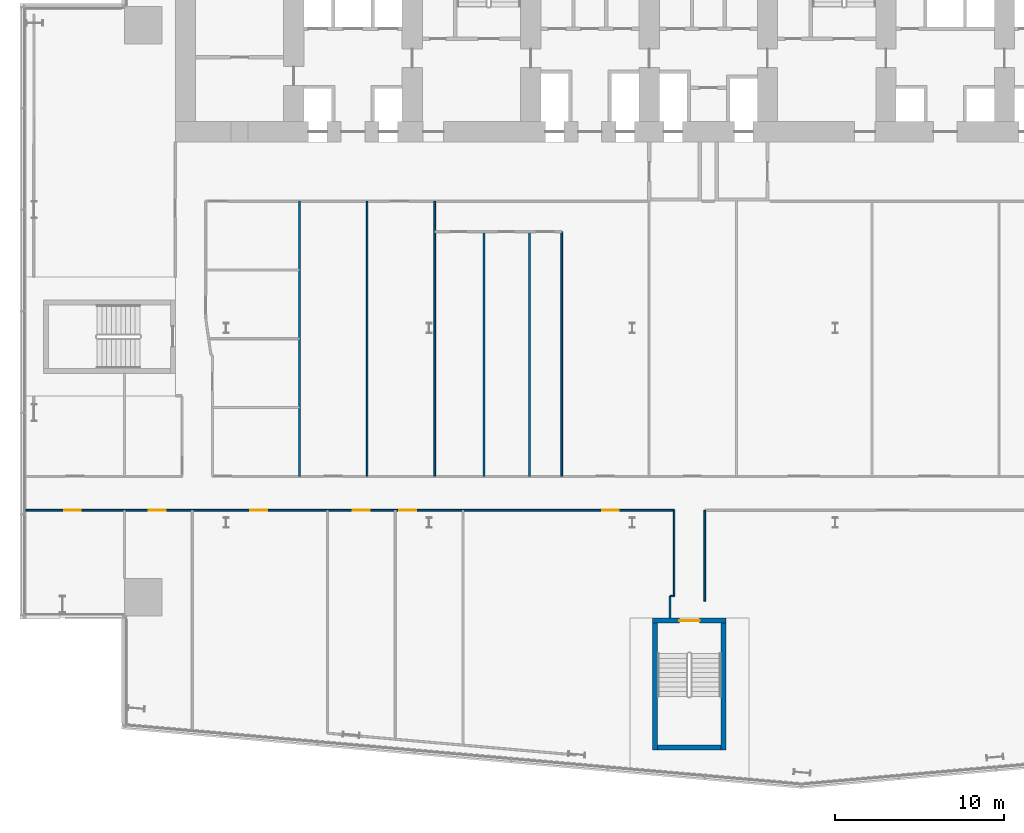
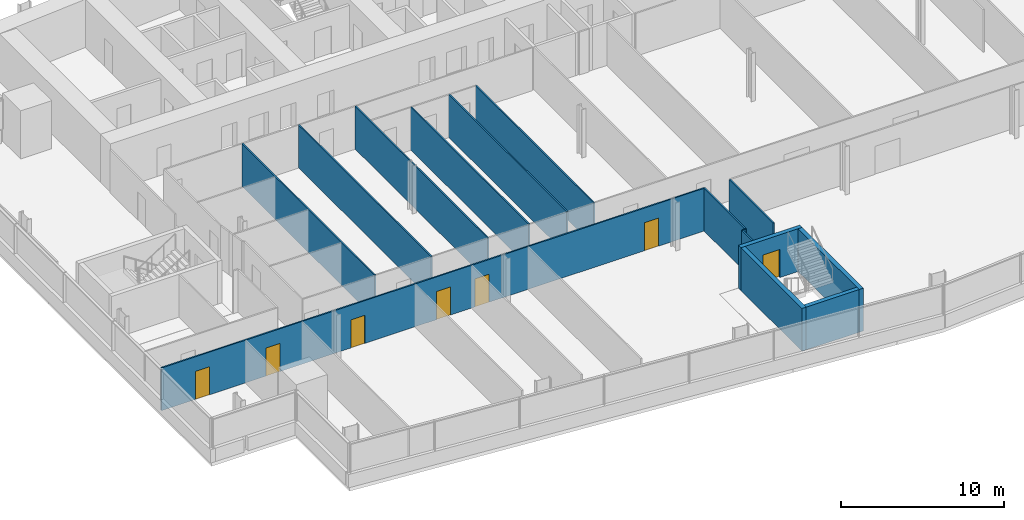
# One storey, part 13 of 24: 15 walls, 7 doors, 7 openings.
"""IFC4 building model written with IfcOpenShell, lengths in metres."""

from ifc_helpers import new_model, si_unit, direction, frame, frame_2d, origin, place, context, subcontext, project, spatial, rectangle, extrude, material, layer, layer_set, type_object, element, fill, save


model = new_model("IFC4")

# Units and contexts
model_context = context("Model", 3, precision=1e-05, world=origin(), true_north=direction((0.0, 1.0)))
body_context = subcontext(model_context, "Body", "Model", "MODEL_VIEW")
ifc_project = project(units=[si_unit("LENGTHUNIT", "METRE"), si_unit("AREAUNIT", "SQUARE_METRE"), si_unit("VOLUMEUNIT", "CUBIC_METRE"), si_unit("PLANEANGLEUNIT", "RADIAN"), si_unit("MASSUNIT", "GRAM", prefix="KILO")], contexts=[model_context])

# Site, building, storey
site_placement = place(None, origin())
site = spatial("IfcSite", under=ifc_project, at=site_placement, CompositionType="ELEMENT")
building_placement = place(site_placement, origin())
building = spatial("IfcBuilding", under=site, at=building_placement, Name="Wharfspan Tower", CompositionType="ELEMENT")
storey_placement = place(building_placement, frame((0.0, 0.0, 41.5)))
storey = spatial("IfcBuildingStorey", under=building, at=storey_placement, Name="L06", CompositionType="ELEMENT", Elevation=41.5)

# Wall, openings, doors
ifc_material_1 = material(Name="Gypsum board on steel studs", Category="steel")
ifc_layer_1 = layer(ifc_material_1, 0.100098)
ifc_layer_set_1 = layer_set([ifc_layer_1], Name="Gypsum board on steel studs")
wall_type_1 = type_object("IfcWallType", Name="Compartment wall 100 EI 60", PredefinedType="PARTITIONING", material=ifc_layer_set_1)
wall_1_placement = place(storey_placement, frame((0.02002, 12.235107, 0.0), z_axis=(0.0, 0.0, 1.0), x_axis=(1.0, 0.0, 0.0)))
wall_1 = element("IfcWall", 1, at=wall_1_placement, inside=storey, type_object=wall_type_1, Name="Partition L06.w001", PredefinedType="PARTITIONING", context=body_context, shape_type="SweptSolid", body=[
    extrude(rectangle(XDim=38.459961, YDim=0.100098, at=frame_2d((19.22998, 0.0))), origin(), (0.0, 0.0, 1.0), 3.199951),
])
opening_1_placement = place(wall_1_placement, frame((2.405029, 0.0, 0.0)))
opening_1 = element("IfcOpeningElement", 2, at=opening_1_placement, cuts=wall_1, Name="Opening A1-02", PredefinedType="OPENING", context=body_context, shape_type="SweptSolid", body=[
    extrude(rectangle(XDim=1.0, YDim=2.100098, at=frame_2d((0.5, 1.050049))), frame((0.0, 0.060059, 0.0), z_axis=(0.0, -1.0, 0.0), x_axis=(1.0, 0.0, 0.0)), (0.0, 0.0, 1.0), 0.120117),
])
opening_2_placement = place(wall_1_placement, frame((7.405029, 0.0, 0.0)))
opening_2 = element("IfcOpeningElement", 3, at=opening_2_placement, cuts=wall_1, Name="Opening A1-03", PredefinedType="OPENING", context=body_context, shape_type="SweptSolid", body=[
    extrude(rectangle(XDim=1.0, YDim=2.100098, at=frame_2d((0.5, 1.050049))), frame((0.0, 0.060059, 0.0), z_axis=(0.0, -1.0, 0.0), x_axis=(1.0, 0.0, 0.0)), (0.0, 0.0, 1.0), 0.120117),
])
opening_3_placement = place(wall_1_placement, frame((13.405029, 0.0, 0.0)))
opening_3 = element("IfcOpeningElement", 4, at=opening_3_placement, cuts=wall_1, Name="Opening A1-04", PredefinedType="OPENING", context=body_context, shape_type="SweptSolid", body=[
    extrude(rectangle(XDim=1.0, YDim=2.100098, at=frame_2d((0.5, 1.050049))), frame((0.0, 0.060059, 0.0), z_axis=(0.0, -1.0, 0.0), x_axis=(1.0, 0.0, 0.0)), (0.0, 0.0, 1.0), 0.120117),
])
opening_4_placement = place(wall_1_placement, frame((19.47998, 0.0, 0.0)))
opening_4 = element("IfcOpeningElement", 5, at=opening_4_placement, cuts=wall_1, Name="Opening A1-05", PredefinedType="OPENING", context=body_context, shape_type="SweptSolid", body=[
    extrude(rectangle(XDim=1.0, YDim=2.100098, at=frame_2d((0.5, 1.050049))), frame((0.0, 0.060059, 0.0), z_axis=(0.0, -1.0, 0.0), x_axis=(1.0, 0.0, 0.0)), (0.0, 0.0, 1.0), 0.120117),
])
opening_5_placement = place(wall_1_placement, frame((22.205078, 0.0, 0.0)))
opening_5 = element("IfcOpeningElement", 6, at=opening_5_placement, cuts=wall_1, Name="Opening A1-06", PredefinedType="OPENING", context=body_context, shape_type="SweptSolid", body=[
    extrude(rectangle(XDim=1.0, YDim=2.100098, at=frame_2d((0.5, 1.050049))), frame((0.0, 0.060059, 0.0), z_axis=(0.0, -1.0, 0.0), x_axis=(1.0, 0.0, 0.0)), (0.0, 0.0, 1.0), 0.120117),
])
opening_6_placement = place(wall_1_placement, frame((34.199951, 0.0, 0.0)))
opening_6 = element("IfcOpeningElement", 7, at=opening_6_placement, cuts=wall_1, Name="Opening A1-07", PredefinedType="OPENING", context=body_context, shape_type="SweptSolid", body=[
    extrude(rectangle(XDim=1.0, YDim=2.100098, at=frame_2d((0.5, 1.050049))), frame((0.0, 0.060059, 0.0), z_axis=(0.0, -1.0, 0.0), x_axis=(1.0, 0.0, 0.0)), (0.0, 0.0, 1.0), 0.120117),
])
ifc_material_2 = material(Name="Fire-rated timber door leaf in steel frame", Category="steel")
door_type_1 = type_object("IfcDoorType", Name="Door 1000 FD30S Left", OperationType="SINGLE_SWING_LEFT", PredefinedType="DOOR", material=ifc_material_2)
door_1_placement = place(opening_1_placement, origin())
door_1 = element("IfcDoor", 8, at=door_1_placement, inside=storey, type_object=door_type_1, Name="Door A1-02", OperationType="SINGLE_SWING_LEFT", OverallHeight=2.100098, OverallWidth=1.0, PredefinedType="DOOR", context=body_context, shape_type="SweptSolid", body=[
    extrude(rectangle(XDim=1.0, YDim=2.100098, at=frame_2d((0.5, 1.050049))), frame((0.0, 0.024902, 0.0), z_axis=(0.0, -1.0, 0.0), x_axis=(1.0, 0.0, 0.0)), (0.0, 0.0, 1.0), 0.050049),
])
fill(opening_1, door_1)
door_2_placement = place(opening_2_placement, origin())
door_2 = element("IfcDoor", 9, at=door_2_placement, inside=storey, type_object=door_type_1, Name="Door A1-03", OperationType="SINGLE_SWING_LEFT", OverallHeight=2.100098, OverallWidth=1.0, PredefinedType="DOOR", context=body_context, shape_type="SweptSolid", body=[
    extrude(rectangle(XDim=1.0, YDim=2.100098, at=frame_2d((0.5, 1.050049))), frame((0.0, 0.024902, 0.0), z_axis=(0.0, -1.0, 0.0), x_axis=(1.0, 0.0, 0.0)), (0.0, 0.0, 1.0), 0.050049),
])
fill(opening_2, door_2)
door_3_placement = place(opening_3_placement, origin())
door_3 = element("IfcDoor", 10, at=door_3_placement, inside=storey, type_object=door_type_1, Name="Door A1-04", OperationType="SINGLE_SWING_LEFT", OverallHeight=2.100098, OverallWidth=1.0, PredefinedType="DOOR", context=body_context, shape_type="SweptSolid", body=[
    extrude(rectangle(XDim=1.0, YDim=2.100098, at=frame_2d((0.5, 1.050049))), frame((0.0, 0.024902, 0.0), z_axis=(0.0, -1.0, 0.0), x_axis=(1.0, 0.0, 0.0)), (0.0, 0.0, 1.0), 0.050049),
])
fill(opening_3, door_3)
door_type_2 = type_object("IfcDoorType", Name="Door 1000 FD30S Right", OperationType="SINGLE_SWING_RIGHT", PredefinedType="DOOR", material=ifc_material_2)
door_4_placement = place(opening_4_placement, origin())
door_4 = element("IfcDoor", 11, at=door_4_placement, inside=storey, type_object=door_type_2, Name="Door A1-05", OperationType="SINGLE_SWING_RIGHT", OverallHeight=2.100098, OverallWidth=1.0, PredefinedType="DOOR", context=body_context, shape_type="SweptSolid", body=[
    extrude(rectangle(XDim=1.0, YDim=2.100098, at=frame_2d((0.5, 1.050049))), frame((0.0, 0.024902, 0.0), z_axis=(0.0, -1.0, 0.0), x_axis=(1.0, 0.0, 0.0)), (0.0, 0.0, 1.0), 0.050049),
])
fill(opening_4, door_4)
door_5_placement = place(opening_5_placement, origin())
door_5 = element("IfcDoor", 12, at=door_5_placement, inside=storey, type_object=door_type_2, Name="Door A1-06", OperationType="SINGLE_SWING_RIGHT", OverallHeight=2.100098, OverallWidth=1.0, PredefinedType="DOOR", context=body_context, shape_type="SweptSolid", body=[
    extrude(rectangle(XDim=1.0, YDim=2.100098, at=frame_2d((0.5, 1.050049))), frame((0.0, 0.024902, 0.0), z_axis=(0.0, -1.0, 0.0), x_axis=(1.0, 0.0, 0.0)), (0.0, 0.0, 1.0), 0.050049),
])
fill(opening_5, door_5)
door_6_placement = place(opening_6_placement, origin())
door_6 = element("IfcDoor", 13, at=door_6_placement, inside=storey, type_object=door_type_2, Name="Door A1-07", OperationType="SINGLE_SWING_RIGHT", OverallHeight=2.100098, OverallWidth=1.0, PredefinedType="DOOR", context=body_context, shape_type="SweptSolid", body=[
    extrude(rectangle(XDim=1.0, YDim=2.100098, at=frame_2d((0.5, 1.050049))), frame((0.0, 0.024902, 0.0), z_axis=(0.0, -1.0, 0.0), x_axis=(1.0, 0.0, 0.0)), (0.0, 0.0, 1.0), 0.050049),
])
fill(opening_6, door_6)

# Walls
for number, where, z_axis, x_axis, name in (
    (14, (16.334961, 14.23999, 0.0), (0.0, 0.0, 1.0), (0.0, 1.0, 0.0), "Partition L06.w023"),
    (15, (20.334961, 14.23999, 0.0), (0.0, 0.0, 1.0), (0.0, 1.0, 0.0), "Partition L06.w025"),
):
    element("IfcWall", number, at=place(storey_placement, frame(where, z_axis=z_axis, x_axis=x_axis)), inside=storey, type_object=wall_type_1, Name=name, PredefinedType="PARTITIONING", context=body_context, shape_type="SweptSolid", body=[
        extrude(rectangle(XDim=16.26001, YDim=0.100098, at=frame_2d((8.129883, 0.0))), origin(), (0.0, 0.0, 1.0), 3.199951),
    ])
wall_2_placement = place(storey_placement, frame((24.334961, 14.23999, 0.0), z_axis=(0.0, 0.0, 1.0), x_axis=(0.0, 1.0, 0.0)))
element("IfcWall", 16, at=wall_2_placement, inside=storey, type_object=wall_type_1, Name="Partition L06.w028", PredefinedType="PARTITIONING", context=body_context, shape_type="SweptSolid", body=[
    extrude(rectangle(XDim=16.25, YDim=0.100098, at=frame_2d((8.125, 0.0))), origin(), (0.0, 0.0, 1.0), 3.199951),
])
for number, where, z_axis, x_axis, name in (
    (17, (27.245117, 14.23999, 0.0), (0.0, 0.0, 1.0), (0.0, 1.0, 0.0), "Partition L06.w031"),
    (18, (29.935059, 14.23999, 0.0), (0.0, 0.0, 1.0), (0.0, 1.0, 0.0), "Partition L06.w032"),
    (19, (31.834961, 14.23999, 0.0), (0.0, 0.0, 1.0), (0.0, 1.0, 0.0), "Partition L06.w033"),
):
    element("IfcWall", number, at=place(storey_placement, frame(where, z_axis=z_axis, x_axis=x_axis)), inside=storey, type_object=wall_type_1, Name=name, PredefinedType="PARTITIONING", context=body_context, shape_type="SweptSolid", body=[
        extrude(rectangle(XDim=14.459961, YDim=0.100098, at=frame_2d((7.22998, 0.0))), origin(), (0.0, 0.0, 1.0), 3.199951),
    ])
wall_3_placement = place(storey_placement, frame((38.22998, 5.880615, 0.0), z_axis=(0.0, 0.0, 1.0), x_axis=(0.0, 1.0, 0.0)))
element("IfcWall", 20, at=wall_3_placement, inside=storey, type_object=wall_type_1, Name="Partition L06.w036", PredefinedType="PARTITIONING", context=body_context, shape_type="SweptSolid", body=[
    extrude(rectangle(XDim=1.279297, YDim=0.100098, at=frame_2d((0.639648, 0.0))), origin(), (0.0, 0.0, 1.0), 3.199951),
])
wall_4_placement = place(storey_placement, frame((38.235107, 7.159912, 0.0), z_axis=(0.0, 0.0, 1.0), x_axis=(1.0, 0.0, 0.0)))
element("IfcWall", 21, at=wall_4_placement, inside=storey, type_object=wall_type_1, Name="Partition L06.w037", PredefinedType="PARTITIONING", context=body_context, shape_type="SweptSolid", body=[
    extrude(rectangle(XDim=0.244873, YDim=0.100098, at=frame_2d((0.122559, 0.0))), origin(), (0.0, 0.0, 1.0), 3.199951),
])
wall_5_placement = place(storey_placement, frame((38.47998, 7.159912, 0.0), z_axis=(0.0, 0.0, 1.0), x_axis=(0.0, 1.0, 0.0)))
element("IfcWall", 22, at=wall_5_placement, inside=storey, type_object=wall_type_1, Name="Partition L06.w038", PredefinedType="PARTITIONING", context=body_context, shape_type="SweptSolid", body=[
    extrude(rectangle(XDim=5.075195, YDim=0.100098, at=frame_2d((2.537598, 0.0))), origin(), (0.0, 0.0, 1.0), 3.199951),
])
wall_6_placement = place(storey_placement, frame((40.284912, 6.860596, 0.0), z_axis=(0.0, 0.0, 1.0), x_axis=(0.0, 1.0, 0.0)))
element("IfcWall", 23, at=wall_6_placement, inside=storey, type_object=wall_type_1, Name="Partition L06.w039", PredefinedType="PARTITIONING", context=body_context, shape_type="SweptSolid", body=[
    extrude(rectangle(XDim=5.374512, YDim=0.100098, at=frame_2d((2.687256, 0.0))), origin(), (0.0, 0.0, 1.0), 3.199951),
])

# Wall, opening, door
ifc_material_3 = material(Name="Concrete C40/50", Category="concrete")
ifc_layer_2 = layer(ifc_material_3, 0.300049)
ifc_layer_set_2 = layer_set([ifc_layer_2], Name="Concrete C40/50")
wall_type_2 = type_object("IfcWallType", Name="Stair core wall 300", PredefinedType="SHEAR", material=ifc_layer_set_2)
wall_7_placement = place(storey_placement, frame((37.208252, 5.710693, 0.0), z_axis=(0.0, 0.0, 1.0), x_axis=(1.0, 0.0, 0.0)))
wall_7 = element("IfcWall", 24, at=wall_7_placement, inside=storey, type_object=wall_type_2, Name="ST4 stair enclosure wall L06", PredefinedType="SHEAR", context=body_context, shape_type="SweptSolid", body=[
    extrude(rectangle(XDim=4.350098, YDim=0.300049, at=frame_2d((2.175049, 0.0))), origin(), (0.0, 0.0, 1.0), 3.199951),
])
opening_7_placement = place(wall_7_placement, frame((1.574951, 0.0, 0.0)))
opening_7 = element("IfcOpeningElement", 25, at=opening_7_placement, cuts=wall_7, Name="Opening SD4.L06", PredefinedType="OPENING", context=body_context, shape_type="SweptSolid", body=[
    extrude(rectangle(XDim=1.199951, YDim=2.100098, at=frame_2d((0.600098, 1.050049))), frame((0.0, 0.159912, 0.0), z_axis=(0.0, -1.0, 0.0), x_axis=(1.0, 0.0, 0.0)), (0.0, 0.0, 1.0), 0.320068),
])
ifc_material_4 = material(Name="Steel door leaf", Category="steel")
door_type_3 = type_object("IfcDoorType", Name="Stair door 1200x2100", OperationType="SINGLE_SWING_LEFT", PredefinedType="DOOR", material=ifc_material_4)
door_7_placement = place(opening_7_placement, origin())
door_7 = element("IfcDoor", 26, at=door_7_placement, inside=storey, type_object=door_type_3, Name="sd:L06:ST4z1", OperationType="SINGLE_SWING_RIGHT", OverallHeight=2.100098, OverallWidth=1.199951, PredefinedType="DOOR", context=body_context, shape_type="SweptSolid", body=[
    extrude(rectangle(XDim=1.199951, YDim=2.100098, at=frame_2d((0.600098, 1.050049))), frame((0.0, 0.024902, 0.0), z_axis=(0.0, -1.0, 0.0), x_axis=(1.0, 0.0, 0.0)), (0.0, 0.0, 1.0), 0.050049),
])
fill(opening_7, door_7)

# Walls
for number, where, z_axis, x_axis, name in (
    (27, (37.358398, -1.939453, 0.0), (0.0, 0.0, 1.0), (0.0, 1.0, 0.0), "ST4 stair enclosure wall L06"),
    (28, (41.408203, -1.939453, 0.0), (0.0, 0.0, 1.0), (0.0, 1.0, 0.0), "ST4 stair enclosure wall L06"),
):
    element("IfcWall", number, at=place(storey_placement, frame(where, z_axis=z_axis, x_axis=x_axis)), inside=storey, type_object=wall_type_2, Name=name, PredefinedType="SHEAR", context=body_context, shape_type="SweptSolid", body=[
        extrude(rectangle(XDim=7.5, YDim=0.300049, at=frame_2d((3.75, 0.0))), origin(), (0.0, 0.0, 1.0), 3.199951),
    ])
wall_8_placement = place(storey_placement, frame((37.508301, -1.789307, 0.0), z_axis=(0.0, 0.0, 1.0), x_axis=(1.0, 0.0, 0.0)))
element("IfcWall", 29, at=wall_8_placement, inside=storey, type_object=wall_type_2, Name="ST4 stair enclosure wall L06", PredefinedType="SHEAR", context=body_context, shape_type="SweptSolid", body=[
    extrude(rectangle(XDim=3.75, YDim=0.300049, at=frame_2d((1.875, 0.0))), origin(), (0.0, 0.0, 1.0), 3.199951),
])

save(model, "model.ifc")
